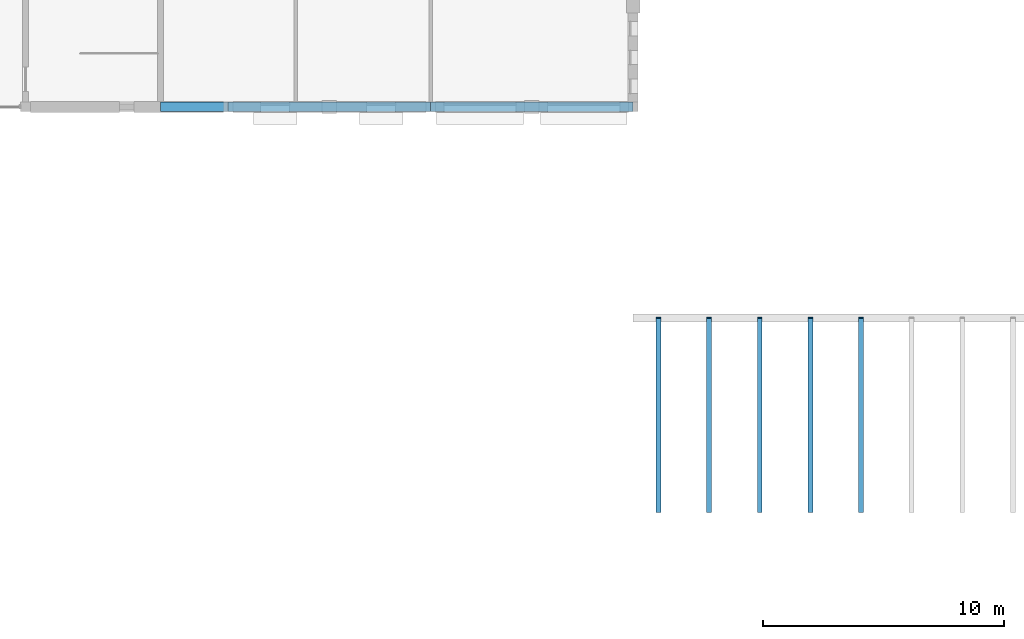
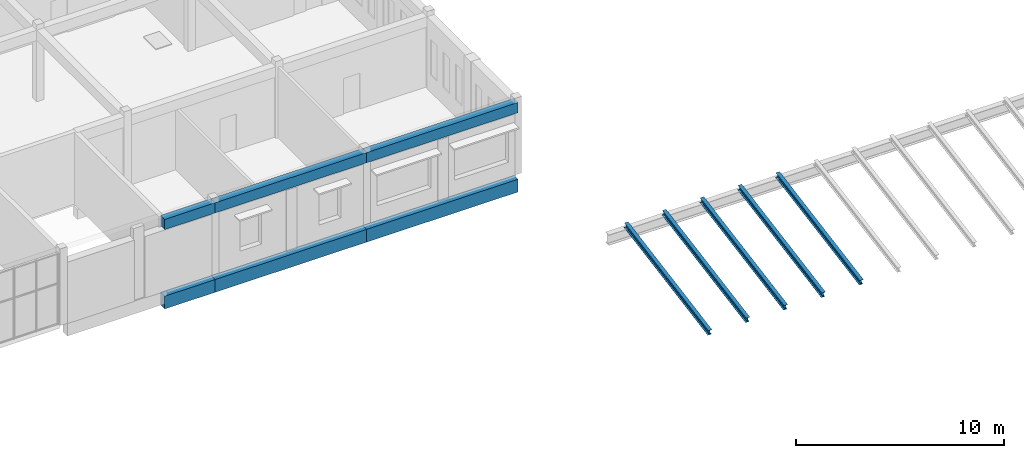
# One storey, part 12 of 30: 6 beams, 5 members.
"""IFC4 building model written with IfcOpenShell, lengths in metres."""

from ifc_helpers import new_model, si_unit, direction, frame, origin, origin_2d, place, context, subcontext, project, spatial, rectangle, i_section, extrude, material, material_profile, profile_set, type_object, element, save


model = new_model("IFC4")

# Units and contexts
model_context = context("Model", 3, precision=1e-05, world=origin(), true_north=direction((0.0, 1.0)))
body_context = subcontext(model_context, "Body", "Model", "MODEL_VIEW")
ifc_project = project(units=[si_unit("LENGTHUNIT", "METRE"), si_unit("AREAUNIT", "SQUARE_METRE"), si_unit("VOLUMEUNIT", "CUBIC_METRE"), si_unit("PLANEANGLEUNIT", "RADIAN"), si_unit("MASSUNIT", "GRAM", prefix="KILO")], contexts=[model_context])

# Site, building, storey
site_placement = place(None, origin())
site = spatial("IfcSite", under=ifc_project, at=site_placement, CompositionType="ELEMENT")
building_placement = place(site_placement, origin())
building = spatial("IfcBuilding", under=site, at=building_placement, Name="Fescue Hill Polytechnic", CompositionType="ELEMENT")
storey_placement = place(building_placement, frame((0.0, 0.0, 22.5)))
storey = spatial("IfcBuildingStorey", under=building, at=storey_placement, Name="L05", CompositionType="ELEMENT", Elevation=22.5)

# Beams
ifc_material_1 = material(Name="Concrete 35 MPa", Category="concrete")
ifc_material_profile_1 = material_profile(ifc_material_1, rectangle(XDim=0.39990234375, YDim=0.60009765625, at=origin_2d()), Name="RC 400x600")
ifc_profile_set_1 = profile_set([ifc_material_profile_1], Name="Concrete 35 MPa")
beam_type_1 = type_object("IfcBeamType", Name="Beam RC 400x600", PredefinedType="BEAM", material=ifc_profile_set_1)
beam_1_placement = place(storey_placement, frame((98.0, 109.199951171875, 3.89990234375), z_axis=(1.0, 0.0, 0.0), x_axis=(0.0, 1.0, 0.0)))
element("IfcBeam", 1, at=beam_1_placement, inside=storey, type_object=beam_type_1, Name="BR-L05-0015", PredefinedType="BEAM", context=body_context, shape_type="SweptSolid", body=[
    extrude(rectangle(XDim=0.39990234375, YDim=0.60009765625, at=origin_2d()), origin(), (0.0, 0.0, 1.0), 2.800048828125),
])
beam_2_placement = place(storey_placement, frame((100.800048828125, 109.199951171875, 3.89990234375), z_axis=(1.0, 0.0, 0.0), x_axis=(0.0, 1.0, 0.0)))
element("IfcBeam", 2, at=beam_2_placement, inside=storey, type_object=beam_type_1, Name="BR-L05-0017", PredefinedType="BEAM", context=body_context, shape_type="SweptSolid", body=[
    extrude(rectangle(XDim=0.39990234375, YDim=0.60009765625, at=origin_2d()), origin(), (0.0, 0.0, 1.0), 8.39990234375),
])
beam_3_placement = place(storey_placement, frame((109.199951171875, 109.199951171875, 3.89990234375), z_axis=(1.0, 0.0, 0.0), x_axis=(0.0, 1.0, 0.0)))
element("IfcBeam", 3, at=beam_3_placement, inside=storey, type_object=beam_type_1, Name="BR-L05-0023", PredefinedType="BEAM", context=body_context, shape_type="SweptSolid", body=[
    extrude(rectangle(XDim=0.39990234375, YDim=0.60009765625, at=origin_2d()), origin(), (0.0, 0.0, 1.0), 8.400146484375),
])
ifc_material_profile_2 = material_profile(ifc_material_1, rectangle(XDim=0.39990234375, YDim=0.75, at=origin_2d()), Name="RC 400x750")
ifc_profile_set_2 = profile_set([ifc_material_profile_2], Name="Concrete 35 MPa")
beam_type_2 = type_object("IfcBeamType", Name="Beam RC 400x750", PredefinedType="BEAM", material=ifc_profile_set_2)
beam_4_placement = place(storey_placement, frame((98.0, 109.199951171875, -0.675048828125), z_axis=(1.0, 0.0, 0.0), x_axis=(0.0, 1.0, 0.0)))
element("IfcBeam", 4, at=beam_4_placement, inside=storey, type_object=beam_type_2, Name="BM-L05-0091", PredefinedType="BEAM", context=body_context, shape_type="SweptSolid", body=[
    extrude(rectangle(XDim=0.39990234375, YDim=0.75, at=origin_2d()), origin(), (0.0, 0.0, 1.0), 2.800048828125),
])
beam_5_placement = place(storey_placement, frame((100.800048828125, 109.199951171875, -0.675048828125), z_axis=(1.0, 0.0, 0.0), x_axis=(0.0, 1.0, 0.0)))
element("IfcBeam", 5, at=beam_5_placement, inside=storey, type_object=beam_type_2, Name="BM-L05-0093", PredefinedType="BEAM", context=body_context, shape_type="SweptSolid", body=[
    extrude(rectangle(XDim=0.39990234375, YDim=0.75, at=origin_2d()), origin(), (0.0, 0.0, 1.0), 8.39990234375),
])
beam_6_placement = place(storey_placement, frame((109.199951171875, 109.199951171875, -0.675048828125), z_axis=(1.0, 0.0, 0.0), x_axis=(0.0, 1.0, 0.0)))
element("IfcBeam", 6, at=beam_6_placement, inside=storey, type_object=beam_type_2, Name="BM-L05-0099", PredefinedType="BEAM", context=body_context, shape_type="SweptSolid", body=[
    extrude(rectangle(XDim=0.39990234375, YDim=0.75, at=origin_2d()), origin(), (0.0, 0.0, 1.0), 8.400146484375),
])

# Members
ifc_material_2 = material(Name="Steel 350W (350 MPa)", Category="steel")
ifc_material_profile_3 = material_profile(ifc_material_2, i_section(OverallWidth=0.202880859375, OverallDepth=0.302978515625, WebThickness=0.007568359375, FlangeThickness=0.01318359375, FilletRadius=0.02001953125, at=origin_2d()), Name="W310x60")
ifc_profile_set_3 = profile_set([ifc_material_profile_3], Name="Steel 350W (350 MPa)")
member_type = type_object("IfcMemberType", Name="Lecture roof purlin W310x60", PredefinedType="PURLIN", material=ifc_profile_set_3)
for number, where, z_axis, x_axis, name in (
    (7, (118.64990234375, 92.39990234375, 0.414794921875), (0.0, 0.984427760029, 0.175789605163), (-1.0, 0.0, 0.0), "Lecture roof purlin 1 bay 5"),
    (8, (120.75, 92.39990234375, 0.414794921875), (0.0, 0.984427760029, 0.175789605163), (-1.0, 0.0, 0.0), "Lecture roof purlin 2 bay 5"),
    (9, (122.85009765625, 92.39990234375, 0.414794921875), (0.0, 0.984427760029, 0.175789605163), (-1.0, 0.0, 0.0), "Lecture roof purlin 3 bay 5"),
    (10, (124.949951171875, 92.39990234375, 0.414794921875), (0.0, 0.984427760029, 0.175789605163), (-1.0, 0.0, 0.0), "Lecture roof purlin 4 bay 5"),
    (11, (127.050048828125, 92.39990234375, 0.414794921875), (0.0, 0.984427760029, 0.175789605163), (-1.0, 0.0, 0.0), "Lecture roof purlin 5 bay 5"),
):
    element("IfcMember", number, at=place(storey_placement, frame(where, z_axis=z_axis, x_axis=x_axis)), inside=storey, type_object=member_type, Name=name, PredefinedType="PURLIN", context=body_context, shape_type="SweptSolid", body=[
        extrude(i_section(OverallWidth=0.202880859375, OverallDepth=0.302978515625, WebThickness=0.007568359375, FlangeThickness=0.01318359375, FilletRadius=0.02001953125, at=origin_2d()), origin(), (0.0, 0.0, 1.0), 8.177490234375),
    ])

save(model, "model.ifc")
